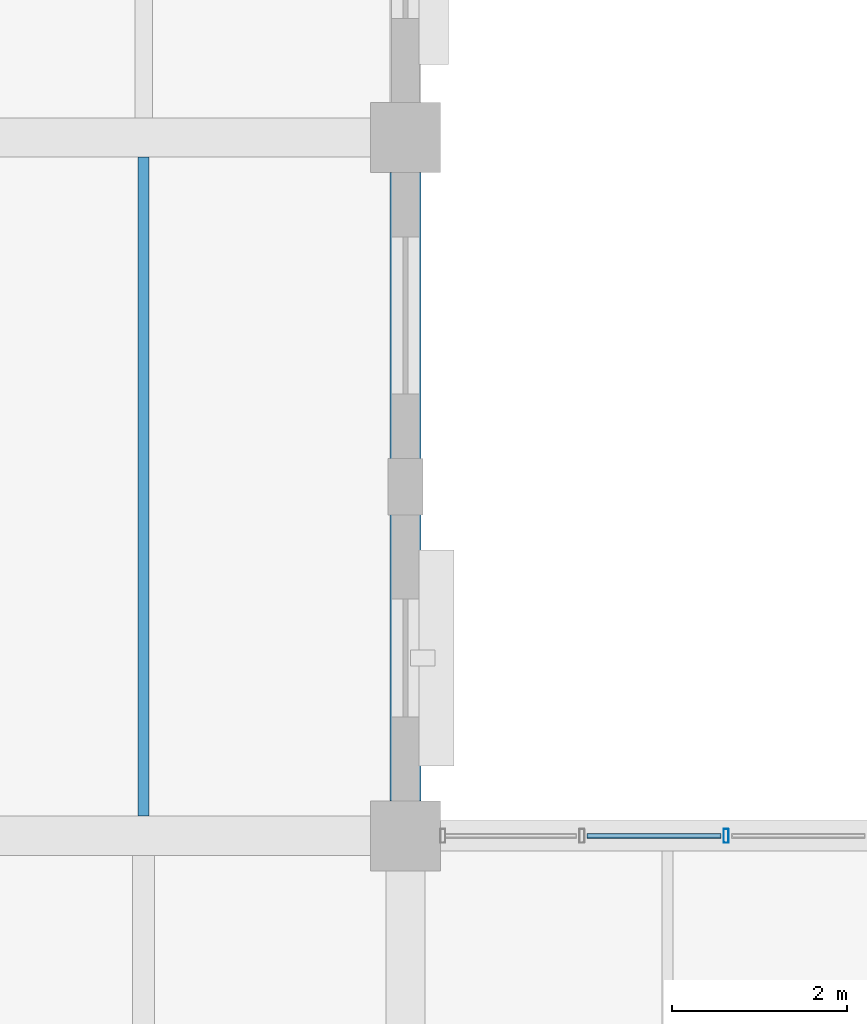
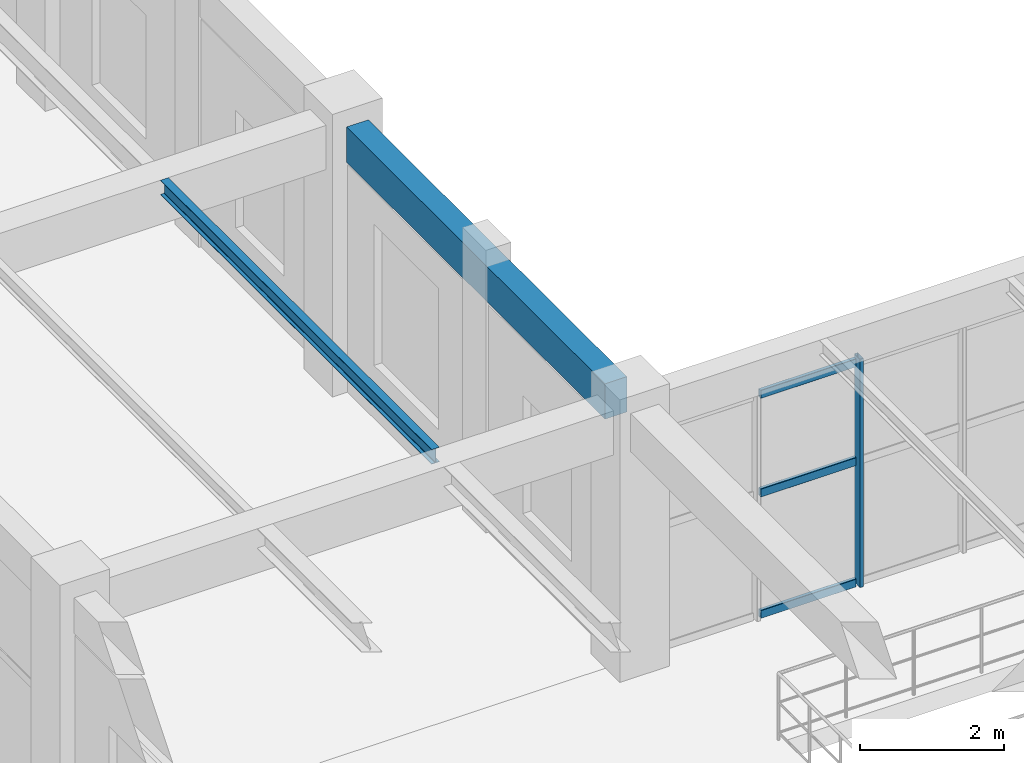
# One storey, part 50 of 178: 4 members, 2 beams, 1 element without a shape of its own.
"""IFC4 building model written with IfcOpenShell, lengths in metres."""

from ifc_helpers import new_model, si_unit, derived_unit, direction, frame, origin, origin_2d, place, context, subcontext, project, spatial, rectangle, hollow_rectangle, i_section, extrude, material, material_profile, profile_set, type_object, element, aggregate, save


model = new_model("IFC4")

# Units and contexts
model_context = context("Model", 3, precision=1e-05, world=origin(), true_north=direction((0.0, 1.0)))
body_context = subcontext(model_context, "Body", "Model", "MODEL_VIEW")
ifc_project = project(units=[si_unit("LENGTHUNIT", "METRE"), si_unit("AREAUNIT", "SQUARE_METRE"), si_unit("VOLUMEUNIT", "CUBIC_METRE"), si_unit("PLANEANGLEUNIT", "RADIAN"), si_unit("MASSUNIT", "GRAM", prefix="KILO"), derived_unit("THERMALTRANSMITTANCEUNIT", [(si_unit("MASSUNIT", "GRAM", prefix="KILO"), 1), (si_unit("TIMEUNIT", "SECOND"), -3), (si_unit("THERMODYNAMICTEMPERATUREUNIT", "KELVIN"), -1)])], contexts=[model_context])

# Site, building, storey
site_placement = place(None, origin())
site = spatial("IfcSite", under=ifc_project, at=site_placement, CompositionType="ELEMENT")
building_placement = place(site_placement, origin())
building = spatial("IfcBuilding", under=site, at=building_placement, Name="Zhenchuan Archway Interchange", CompositionType="ELEMENT")
storey_placement = place(building_placement, frame((0.0, 0.0, 5.39990234375)))
storey = spatial("IfcBuildingStorey", under=building, at=storey_placement, Name="L01", CompositionType="ELEMENT", Elevation=5.39990234375)

# Curtain wall, members
ifc_material_1 = material(Name="Anodised Aluminium", Category="aluminium")
curtain_wall_type = type_object("IfcCurtainWallType", Name="CW_UNIT_3", PredefinedType="NOTDEFINED", material=ifc_material_1)
curtain_wall_placement = place(storey_placement, origin())
curtain_wall = element("IfcCurtainWall", 1, at=curtain_wall_placement, inside=storey, type_object=curtain_wall_type, Name="Unitised curtain wall CW:L01:102", PredefinedType="NOTDEFINED")
ifc_material_profile_1 = material_profile(ifc_material_1, hollow_rectangle(XDim=0.06005859375, YDim=0.159912109375, WallThickness=0.00390625, InnerFilletRadius=0.00390625, OuterFilletRadius=0.008056640625, at=origin_2d()), Name="ALU 160x60x4")
ifc_profile_set_1 = profile_set([ifc_material_profile_1], Name="Anodised Aluminium")
member_type_1 = type_object("IfcMemberType", Name="CW_MUL_150", PredefinedType="MULLION", material=ifc_profile_set_1)
member_1_placement = place(storey_placement, frame((111.673583984375, 24.0, 0.0), z_axis=(0.0, 0.0, 1.0), x_axis=(1.0, 0.0, 0.0)))
member_1 = element("IfcMember", 2, at=member_1_placement, type_object=member_type_1, Name="CW:L01:102 mullion 2", PredefinedType="MULLION", context=body_context, shape_type="SweptSolid", body=[
    extrude(hollow_rectangle(XDim=0.06005859375, YDim=0.159912109375, WallThickness=0.00390625, InnerFilletRadius=0.00390625, OuterFilletRadius=0.008056640625, at=origin_2d()), origin(), (0.0, 0.0, 1.0), 3.880126953125),
])
ifc_material_profile_2 = material_profile(ifc_material_1, hollow_rectangle(XDim=0.06005859375, YDim=0.139892578125, WallThickness=0.00341796875, InnerFilletRadius=0.00341796875, OuterFilletRadius=0.007080078125, at=origin_2d()), Name="ALU 140x60x3.5")
ifc_profile_set_2 = profile_set([ifc_material_profile_2], Name="Anodised Aluminium")
member_type_2 = type_object("IfcMemberType", Name="CW_TRN_140", PredefinedType="USERDEFINED", material=ifc_profile_set_2)
member_2_placement = place(storey_placement, frame((110.080810546875, 24.0, 0.06005859375), z_axis=(1.0, 0.0, 0.0), x_axis=(0.0, 1.0, 0.0)))
member_2 = element("IfcMember", 3, at=member_2_placement, type_object=member_type_2, Name="CW:L01:102 transom 1-1", ObjectType="TRANSOM", PredefinedType="USERDEFINED", context=body_context, shape_type="SweptSolid", body=[
    extrude(hollow_rectangle(XDim=0.06005859375, YDim=0.139892578125, WallThickness=0.00341796875, InnerFilletRadius=0.00341796875, OuterFilletRadius=0.007080078125, at=origin_2d()), origin(), (0.0, 0.0, 1.0), 1.53271484375),
])
member_3_placement = place(storey_placement, frame((110.080810546875, 24.0, 2.123046875), z_axis=(1.0, 0.0, 0.0), x_axis=(0.0, 1.0, 0.0)))
member_3 = element("IfcMember", 4, at=member_3_placement, type_object=member_type_2, Name="CW:L01:102 transom 1-2", ObjectType="TRANSOM", PredefinedType="USERDEFINED", context=body_context, shape_type="SweptSolid", body=[
    extrude(hollow_rectangle(XDim=0.06005859375, YDim=0.139892578125, WallThickness=0.00341796875, InnerFilletRadius=0.00341796875, OuterFilletRadius=0.007080078125, at=origin_2d()), origin(), (0.0, 0.0, 1.0), 1.53271484375),
])
member_4_placement = place(storey_placement, frame((110.080810546875, 24.0, 3.800048828125), z_axis=(1.0, 0.0, 0.0), x_axis=(0.0, 1.0, 0.0)))
member_4 = element("IfcMember", 5, at=member_4_placement, type_object=member_type_2, Name="CW:L01:102 transom 1-3", ObjectType="TRANSOM", PredefinedType="USERDEFINED", context=body_context, shape_type="SweptSolid", body=[
    extrude(hollow_rectangle(XDim=0.06005859375, YDim=0.139892578125, WallThickness=0.00341796875, InnerFilletRadius=0.00341796875, OuterFilletRadius=0.007080078125, at=origin_2d()), origin(), (0.0, 0.0, 1.0), 1.53271484375),
])
aggregate(curtain_wall, [member_1, member_2, member_3, member_4])

# Beams
ifc_material_2 = material(Name="Steel Q355", Category="steel")
ifc_material_profile_3 = material_profile(ifc_material_2, i_section(OverallWidth=0.125, OverallDepth=0.25, WebThickness=0.006103515625, FlangeThickness=0.009033203125, FilletRadius=0.011962890625, at=origin_2d()), Name="HN 250x125")
ifc_profile_set_3 = profile_set([ifc_material_profile_3], Name="Steel Q355")
beam_type_1 = type_object("IfcBeamType", Name="JST_STL_HN250", PredefinedType="JOIST", material=ifc_profile_set_3)
beam_1_placement = place(storey_placement, frame((105.0, 24.22509765625, 4.385009765625), z_axis=(0.0, 1.0, 0.0), x_axis=(-1.0, 0.0, 0.0)))
element("IfcBeam", 6, at=beam_1_placement, inside=storey, type_object=beam_type_1, Name="Secondary joist 12-13/D-E #2 (L01)", PredefinedType="JOIST", context=body_context, shape_type="SweptSolid", body=[
    extrude(i_section(OverallWidth=0.125, OverallDepth=0.25, WebThickness=0.006103515625, FlangeThickness=0.009033203125, FilletRadius=0.011962890625, at=origin_2d()), origin(), (0.0, 0.0, 1.0), 7.5498046875),
])
ifc_material_3 = material(Name="Concrete C40", Category="concrete")
ifc_material_profile_4 = material_profile(ifc_material_3, rectangle(XDim=0.35009765625, YDim=0.60009765625, at=origin_2d()), Name="RC 350x600")
ifc_profile_set_4 = profile_set([ifc_material_profile_4], Name="Concrete C40")
beam_type_2 = type_object("IfcBeamType", Name="SP_RC_350x600", PredefinedType="SPANDREL", material=ifc_profile_set_4)
beam_2_placement = place(storey_placement, frame((108.0, 24.39990234375, 4.210205078125), z_axis=(0.0, 1.0, 0.0), x_axis=(-1.0, 0.0, 0.0)))
element("IfcBeam", 7, at=beam_2_placement, inside=storey, type_object=beam_type_2, Name="Beam 13:D-E (L01)", PredefinedType="SPANDREL", context=body_context, shape_type="SweptSolid", body=[
    extrude(rectangle(XDim=0.35009765625, YDim=0.60009765625, at=origin_2d()), origin(), (0.0, 0.0, 1.0), 7.2001953125),
])

save(model, "model.ifc")
